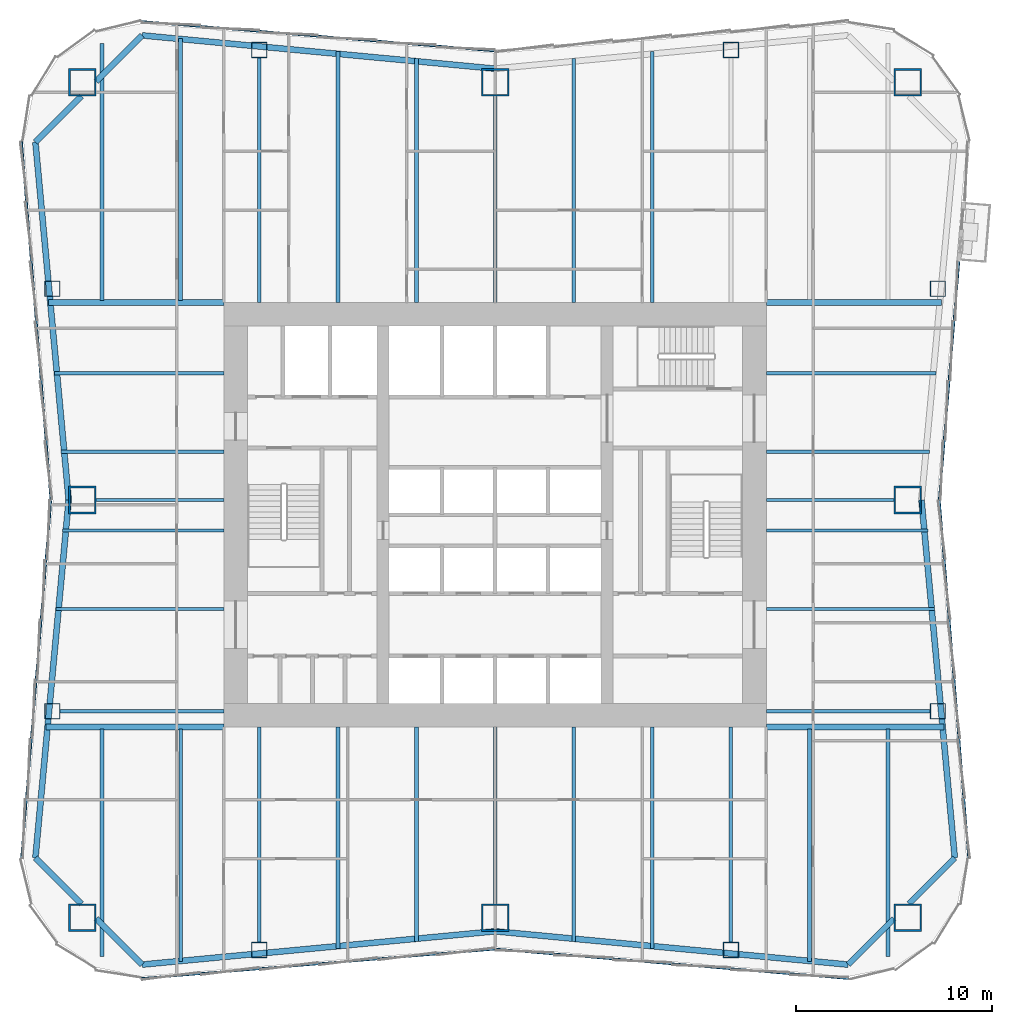
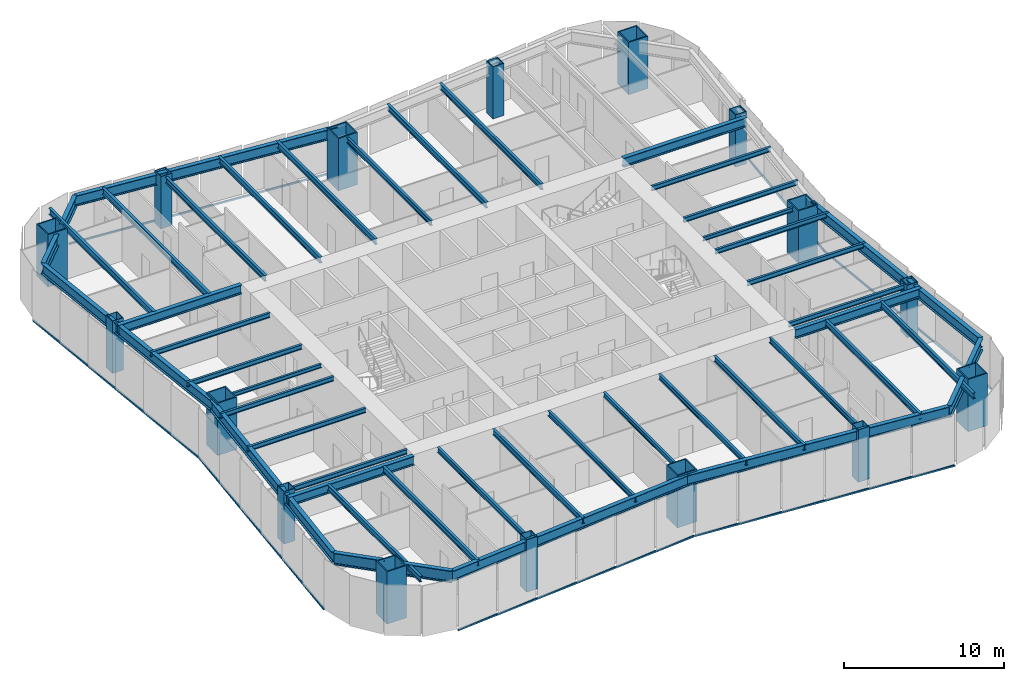
# One storey, part 1 of 9: 47 beams, 16 columns, 7 members, 4 elements without a shape of their own.
"""IFC4 building model written with IfcOpenShell, lengths in metres."""

from ifc_helpers import new_model, si_unit, direction, frame, origin, origin_2d, place, context, subcontext, project, spatial, rectangle, hollow_rectangle, i_section, extrude, material, material_profile, profile_set, type_object, element, aggregate, save


model = new_model("IFC4")

# Units and contexts
model_context = context("Model", 3, precision=1e-05, world=origin(), true_north=direction((0.0, 1.0)))
body_context = subcontext(model_context, "Body", "Model", "MODEL_VIEW")
ifc_project = project(units=[si_unit("LENGTHUNIT", "METRE"), si_unit("AREAUNIT", "SQUARE_METRE"), si_unit("VOLUMEUNIT", "CUBIC_METRE"), si_unit("PLANEANGLEUNIT", "RADIAN"), si_unit("MASSUNIT", "GRAM", prefix="KILO")], contexts=[model_context])

# Site, building, storey
site_placement = place(None, origin())
site = spatial("IfcSite", under=ifc_project, at=site_placement, CompositionType="ELEMENT")
building_placement = place(site_placement, origin())
building = spatial("IfcBuilding", under=site, at=building_placement, Name="Verdant Reach Tower", CompositionType="ELEMENT")
storey_placement = place(building_placement, frame((0.0, 0.0, 74.0)))
storey = spatial("IfcBuildingStorey", under=building, at=storey_placement, Name="L16", CompositionType="ELEMENT", Elevation=74.0)

# Columns
ifc_material_1 = material(Name="Steel S460", Category="steel")
ifc_material_profile_1 = material_profile(ifc_material_1, hollow_rectangle(XDim=1.39990234375, YDim=1.39990234375, WallThickness=0.080078125, at=origin_2d()), Name="WB 1400x1400x80")
ifc_profile_set_1 = profile_set([ifc_material_profile_1], Name="Steel S460")
column_type_1 = type_object("IfcColumnType", Name="ST-COL-WB1400x1400x80", PredefinedType="COLUMN", material=ifc_profile_set_1)
for number, where, z_axis, x_axis, name in (
    (1, (-21.0, 50.0, 0.0), (0.0, 0.0, 1.0), (1.0, 0.0, 0.0), "Mega column north-west, L16"),
    (2, (0.0, 50.0, 0.0), (0.0, 0.0, 1.0), (1.0, 0.0, 0.0), "Mega column north, L16"),
    (3, (21.0, 50.0, 0.0), (0.0, 0.0, 1.0), (1.0, 0.0, 0.0), "Mega column north-east, L16"),
    (4, (21.0, 28.75, 0.0), (0.0, 0.0, 1.0), (1.0, 0.0, 0.0), "Mega column east, L16"),
    (5, (21.0, 7.5, 0.0), (0.0, 0.0, 1.0), (1.0, 0.0, 0.0), "Mega column south-east, L16"),
    (6, (0.0, 7.5, 0.0), (0.0, 0.0, 1.0), (1.0, 0.0, 0.0), "Mega column south, L16"),
    (7, (-21.0, 7.5, 0.0), (0.0, 0.0, 1.0), (1.0, 0.0, 0.0), "Mega column south-west, L16"),
    (8, (-21.0, 28.75, 0.0), (0.0, 0.0, 1.0), (1.0, 0.0, 0.0), "Mega column west, L16"),
):
    element("IfcColumn", number, at=place(storey_placement, frame(where, z_axis=z_axis, x_axis=x_axis)), inside=storey, type_object=column_type_1, Name=name, PredefinedType="COLUMN", context=body_context, shape_type="SweptSolid", body=[
        extrude(hollow_rectangle(XDim=1.39990234375, YDim=1.39990234375, WallThickness=0.080078125, at=origin_2d()), origin(), (0.0, 0.0, 1.0), 4.0),
    ])
ifc_material_profile_2 = material_profile(ifc_material_1, hollow_rectangle(XDim=0.800048828125, YDim=0.800048828125, WallThickness=0.0400390625, at=origin_2d()), Name="WB 800x800x40")
ifc_profile_set_2 = profile_set([ifc_material_profile_2], Name="Steel S460")
column_type_2 = type_object("IfcColumnType", Name="ST-COL-WB800x800x40", PredefinedType="COLUMN", material=ifc_profile_set_2)
for number, where, z_axis, x_axis, name in (
    (9, (-12.0, 51.64990234375, 0.0), (0.0, 0.0, 1.0), (1.0, 0.0, 0.0), "Perimeter column north 1, L16"),
    (10, (12.0, 51.64990234375, 0.0), (0.0, 0.0, 1.0), (1.0, 0.0, 0.0), "Perimeter column north 2, L16"),
    (11, (-12.0, 5.85009765625, 0.0), (0.0, 0.0, 1.0), (1.0, 0.0, 0.0), "Perimeter column south 1, L16"),
    (12, (12.0, 5.85009765625, 0.0), (0.0, 0.0, 1.0), (1.0, 0.0, 0.0), "Perimeter column south 2, L16"),
    (13, (22.53369140625, 18.0, 0.0), (0.0, 0.0, 1.0), (1.0, 0.0, 0.0), "Perimeter column east 1, L16"),
    (14, (22.53369140625, 39.5, 0.0), (0.0, 0.0, 1.0), (1.0, 0.0, 0.0), "Perimeter column east 2, L16"),
    (15, (-22.53369140625, 18.0, 0.0), (0.0, 0.0, 1.0), (1.0, 0.0, 0.0), "Perimeter column west 1, L16"),
    (16, (-22.53369140625, 39.5, 0.0), (0.0, 0.0, 1.0), (1.0, 0.0, 0.0), "Perimeter column west 2, L16"),
):
    element("IfcColumn", number, at=place(storey_placement, frame(where, z_axis=z_axis, x_axis=x_axis)), inside=storey, type_object=column_type_2, Name=name, PredefinedType="COLUMN", context=body_context, shape_type="SweptSolid", body=[
        extrude(hollow_rectangle(XDim=0.800048828125, YDim=0.800048828125, WallThickness=0.0400390625, at=origin_2d()), origin(), (0.0, 0.0, 1.0), 4.0),
    ])

# Curtain wall, members
ifc_material_2 = material(Name="Anodised aluminium", Category="aluminium")
curtain_wall_type = type_object("IfcCurtainWallType", Name="EN-CW SYSTEM Z1", PredefinedType="NOTDEFINED", material=ifc_material_2)
curtain_wall_1_placement = place(storey_placement, origin())
curtain_wall_1 = element("IfcCurtainWall", 17, at=curtain_wall_1_placement, inside=storey, type_object=curtain_wall_type, Name="Curtain wall east, L16", PredefinedType="NOTDEFINED")
ifc_material_profile_3 = material_profile(ifc_material_2, rectangle(XDim=0.10009765625, YDim=0.1220703125, at=origin_2d()), Name="Transom 122x100")
ifc_profile_set_3 = profile_set([ifc_material_profile_3], Name="Anodised aluminium")
member_type = type_object("IfcMemberType", Name="EN-TRANSOM Z1", PredefinedType="USERDEFINED", material=ifc_profile_set_3)
member_1_placement = place(storey_placement, frame((24.100341796875, 10.52490234375, -0.2890625), z_axis=(-0.081886623329, 0.996641651207, 0.0), x_axis=(-0.996641651207, -0.081886623329, 0.0)))
member_1 = element("IfcMember", 18, at=member_1_placement, type_object=member_type, Name="Transom east face part 1 1.1, L16", ObjectType="TRANSOM", PredefinedType="USERDEFINED", context=body_context, shape_type="SweptSolid", body=[
    extrude(rectangle(XDim=0.10009765625, YDim=0.1220703125, at=origin_2d()), origin(), (0.0, 0.0, 1.0), 18.25537109375),
])
member_2_placement = place(storey_placement, frame((22.60546875, 28.781005859375, -0.2890625), z_axis=(0.081948400518, 0.996636573507, 0.0), x_axis=(-0.996636573507, 0.081948400518, 0.0)))
member_2 = element("IfcMember", 19, at=member_2_placement, type_object=member_type, Name="Transom east face part 2 1.1, L16", ObjectType="TRANSOM", PredefinedType="USERDEFINED", context=body_context, shape_type="SweptSolid", body=[
    extrude(rectangle(XDim=0.10009765625, YDim=0.1220703125, at=origin_2d()), origin(), (0.0, 0.0, 1.0), 12.13720703125),
])
aggregate(curtain_wall_1, [member_1, member_2])

# Curtain wall, member
curtain_wall_2_placement = place(storey_placement, origin())
curtain_wall_2 = element("IfcCurtainWall", 20, at=curtain_wall_2_placement, inside=storey, type_object=curtain_wall_type, Name="Curtain wall north, L16", PredefinedType="NOTDEFINED")
member_3_placement = place(storey_placement, frame((-0.031005859375, 51.60546875, -0.2890625), z_axis=(-0.996547815143, 0.083020793384, 0.0), x_axis=(-0.083020793384, -0.996547815143, 0.0)))
member_3 = element("IfcMember", 21, at=member_3_placement, type_object=member_type, Name="Transom north face part 2 1.1, L16", ObjectType="TRANSOM", PredefinedType="USERDEFINED", context=body_context, shape_type="SweptSolid", body=[
    extrude(rectangle(XDim=0.10009765625, YDim=0.1220703125, at=origin_2d()), origin(), (0.0, 0.0, 1.0), 18.006103515625),
])
aggregate(curtain_wall_2, [member_3])

# Curtain wall, members
curtain_wall_3_placement = place(storey_placement, origin())
curtain_wall_3 = element("IfcCurtainWall", 22, at=curtain_wall_3_placement, inside=storey, type_object=curtain_wall_type, Name="Curtain wall west, L16", PredefinedType="NOTDEFINED")
member_4_placement = place(storey_placement, frame((-24.100341796875, 46.97509765625, -0.2890625), z_axis=(0.081886623329, -0.996641651207, 0.0), x_axis=(0.996641651207, 0.081886623329, 0.0)))
member_4 = element("IfcMember", 23, at=member_4_placement, type_object=member_type, Name="Transom west face part 1 1.1, L16", ObjectType="TRANSOM", PredefinedType="USERDEFINED", context=body_context, shape_type="SweptSolid", body=[
    extrude(rectangle(XDim=0.10009765625, YDim=0.1220703125, at=origin_2d()), origin(), (0.0, 0.0, 1.0), 18.25537109375),
])
member_5_placement = place(storey_placement, frame((-22.60546875, 28.718994140625, -0.2890625), z_axis=(-0.081886623329, -0.996641651207, 0.0), x_axis=(0.996641651207, -0.081886623329, 0.0)))
member_5 = element("IfcMember", 24, at=member_5_placement, type_object=member_type, Name="Transom west face part 2 1.1, L16", ObjectType="TRANSOM", PredefinedType="USERDEFINED", context=body_context, shape_type="SweptSolid", body=[
    extrude(rectangle(XDim=0.10009765625, YDim=0.1220703125, at=origin_2d()), origin(), (0.0, 0.0, 1.0), 18.25537109375),
])
aggregate(curtain_wall_3, [member_4, member_5])

curtain_wall_4_placement = place(storey_placement, origin())
curtain_wall_4 = element("IfcCurtainWall", 25, at=curtain_wall_4_placement, inside=storey, type_object=curtain_wall_type, Name="Curtain wall south, L16", PredefinedType="NOTDEFINED")
member_6_placement = place(storey_placement, frame((-17.974853515625, 4.399658203125, -0.2890625), z_axis=(0.996547815143, 0.083020793384, 0.0), x_axis=(-0.083020793384, 0.996547815143, 0.0)))
member_6 = element("IfcMember", 26, at=member_6_placement, type_object=member_type, Name="Transom south face part 1 1.1, L16", ObjectType="TRANSOM", PredefinedType="USERDEFINED", context=body_context, shape_type="SweptSolid", body=[
    extrude(rectangle(XDim=0.10009765625, YDim=0.1220703125, at=origin_2d()), origin(), (0.0, 0.0, 1.0), 18.006103515625),
])
member_7_placement = place(storey_placement, frame((0.031005859375, 5.89453125, -0.2890625), z_axis=(0.996547815143, -0.083020793384, 0.0), x_axis=(0.083020793384, 0.996547815143, 0.0)))
member_7 = element("IfcMember", 27, at=member_7_placement, type_object=member_type, Name="Transom south face part 2 1.1, L16", ObjectType="TRANSOM", PredefinedType="USERDEFINED", context=body_context, shape_type="SweptSolid", body=[
    extrude(rectangle(XDim=0.10009765625, YDim=0.1220703125, at=origin_2d()), origin(), (0.0, 0.0, 1.0), 18.006103515625),
])
aggregate(curtain_wall_4, [member_6, member_7])

# Beams
ifc_material_3 = material(Name="Steel S355", Category="steel")
ifc_material_profile_4 = material_profile(ifc_material_3, i_section(OverallWidth=0.300048828125, OverallDepth=0.699951171875, WebThickness=0.01708984375, FlangeThickness=0.031982421875, FilletRadius=0.027099609375, at=origin_2d()), Name="HEB 700")
ifc_profile_set_4 = profile_set([ifc_material_profile_4], Name="Steel S355")
beam_type_1 = type_object("IfcBeamType", Name="ST-BEAM-HEB700", PredefinedType="BEAM", material=ifc_profile_set_4)
for number, where, z_axis, x_axis, name in (
    (28, (13.800048828125, 38.800048828125, 3.52001953125), (1.0, 0.0, 0.0), (0.0, 1.0, 0.0), "Trimmer beam, L16"),
    (29, (-13.800048828125, 38.800048828125, 3.52001953125), (-1.0, 0.0, 0.0), (0.0, -1.0, 0.0), "Trimmer beam, L16"),
):
    element("IfcBeam", number, at=place(storey_placement, frame(where, z_axis=z_axis, x_axis=x_axis)), inside=storey, type_object=beam_type_1, Name=name, PredefinedType="BEAM", context=body_context, shape_type="SweptSolid", body=[
        extrude(i_section(OverallWidth=0.300048828125, OverallDepth=0.699951171875, WebThickness=0.01708984375, FlangeThickness=0.031982421875, FilletRadius=0.027099609375, at=origin_2d()), origin(), (0.0, 0.0, 1.0), 8.924072265625),
    ])
for number, where, z_axis, x_axis, name in (
    (30, (13.800048828125, 17.199951171875, 3.52001953125), (1.0, 0.0, 0.0), (0.0, 1.0, 0.0), "Trimmer beam, L16"),
    (31, (-13.800048828125, 17.199951171875, 3.52001953125), (-1.0, 0.0, 0.0), (0.0, -1.0, 0.0), "Trimmer beam, L16"),
):
    element("IfcBeam", number, at=place(storey_placement, frame(where, z_axis=z_axis, x_axis=x_axis)), inside=storey, type_object=beam_type_1, Name=name, PredefinedType="BEAM", context=body_context, shape_type="SweptSolid", body=[
        extrude(i_section(OverallWidth=0.300048828125, OverallDepth=0.699951171875, WebThickness=0.01708984375, FlangeThickness=0.031982421875, FilletRadius=0.027099609375, at=origin_2d()), origin(), (0.0, 0.0, 1.0), 9.04736328125),
    ])
ifc_material_profile_5 = material_profile(ifc_material_3, i_section(OverallWidth=0.14990234375, OverallDepth=0.300048828125, WebThickness=0.007080078125, FlangeThickness=0.0107421875, FilletRadius=0.014892578125, at=origin_2d()), Name="IPE 300")
ifc_profile_set_5 = profile_set([ifc_material_profile_5], Name="Steel S355")
beam_type_2 = type_object("IfcBeamType", Name="ST-JOIST-IPE300", PredefinedType="JOIST", material=ifc_profile_set_5)
for number, where, z_axis, x_axis, name in (
    (32, (13.800048828125, 28.75, 3.719970703125), (1.0, 0.0, 0.0), (0.0, 1.0, 0.0), "Floor joist, L16"),
    (33, (-13.800048828125, 28.75, 3.719970703125), (-1.0, 0.0, 0.0), (0.0, -1.0, 0.0), "Floor joist, L16"),
):
    element("IfcBeam", number, at=place(storey_placement, frame(where, z_axis=z_axis, x_axis=x_axis)), inside=storey, type_object=beam_type_2, Name=name, PredefinedType="JOIST", context=body_context, shape_type="SweptSolid", body=[
        extrude(i_section(OverallWidth=0.14990234375, OverallDepth=0.300048828125, WebThickness=0.007080078125, FlangeThickness=0.0107421875, FilletRadius=0.014892578125, at=origin_2d()), origin(), (0.0, 0.0, 1.0), 6.5),
    ])
ifc_material_profile_6 = material_profile(ifc_material_3, i_section(OverallWidth=0.169921875, OverallDepth=0.360107421875, WebThickness=0.008056640625, FlangeThickness=0.0126953125, FilletRadius=0.01806640625, at=origin_2d()), Name="IPE 360")
ifc_profile_set_6 = profile_set([ifc_material_profile_6], Name="Steel S355")
beam_type_3 = type_object("IfcBeamType", Name="ST-JOIST-IPE360", PredefinedType="JOIST", material=ifc_profile_set_6)
beam_1_placement = place(storey_placement, frame((0.0, 17.199951171875, 3.68994140625), z_axis=(0.0, -1.0, 0.0), x_axis=(1.0, 0.0, 0.0)))
element("IfcBeam", 34, at=beam_1_placement, inside=storey, type_object=beam_type_3, Name="Floor joist, L16", PredefinedType="JOIST", context=body_context, shape_type="SweptSolid", body=[
    extrude(i_section(OverallWidth=0.169921875, OverallDepth=0.360107421875, WebThickness=0.008056640625, FlangeThickness=0.0126953125, FilletRadius=0.01806640625, at=origin_2d()), origin(), (0.0, 0.0, 1.0), 9.0),
])
for number, where, z_axis, x_axis, name in (
    (35, (13.800048828125, 18.0, 3.68994140625), (1.0, 0.0, 0.0), (0.0, 1.0, 0.0), "Floor joist, L16"),
    (36, (-13.800048828125, 18.0, 3.68994140625), (-1.0, 0.0, 0.0), (0.0, -1.0, 0.0), "Floor joist, L16"),
):
    element("IfcBeam", number, at=place(storey_placement, frame(where, z_axis=z_axis, x_axis=x_axis)), inside=storey, type_object=beam_type_3, Name=name, PredefinedType="JOIST", context=body_context, shape_type="SweptSolid", body=[
        extrude(i_section(OverallWidth=0.169921875, OverallDepth=0.360107421875, WebThickness=0.008056640625, FlangeThickness=0.0126953125, FilletRadius=0.01806640625, at=origin_2d()), origin(), (0.0, 0.0, 1.0), 8.33349609375),
    ])
for number, where, z_axis, x_axis, name in (
    (37, (13.800048828125, 23.199951171875, 3.68994140625), (1.0, 0.0, 0.0), (0.0, 1.0, 0.0), "Floor joist, L16"),
    (38, (-13.800048828125, 23.199951171875, 3.68994140625), (-1.0, 0.0, 0.0), (0.0, -1.0, 0.0), "Floor joist, L16"),
):
    element("IfcBeam", number, at=place(storey_placement, frame(where, z_axis=z_axis, x_axis=x_axis)), inside=storey, type_object=beam_type_3, Name=name, PredefinedType="JOIST", context=body_context, shape_type="SweptSolid", body=[
        extrude(i_section(OverallWidth=0.169921875, OverallDepth=0.360107421875, WebThickness=0.008056640625, FlangeThickness=0.0126953125, FilletRadius=0.01806640625, at=origin_2d()), origin(), (0.0, 0.0, 1.0), 8.553955078125),
    ])
for number, where, z_axis, x_axis, name in (
    (39, (13.800048828125, 27.199951171875, 3.68994140625), (1.0, 0.0, 0.0), (0.0, 1.0, 0.0), "Floor joist, L16"),
    (40, (-13.800048828125, 27.199951171875, 3.68994140625), (-1.0, 0.0, 0.0), (0.0, -1.0, 0.0), "Floor joist, L16"),
):
    element("IfcBeam", number, at=place(storey_placement, frame(where, z_axis=z_axis, x_axis=x_axis)), inside=storey, type_object=beam_type_3, Name=name, PredefinedType="JOIST", context=body_context, shape_type="SweptSolid", body=[
        extrude(i_section(OverallWidth=0.169921875, OverallDepth=0.360107421875, WebThickness=0.008056640625, FlangeThickness=0.0126953125, FilletRadius=0.01806640625, at=origin_2d()), origin(), (0.0, 0.0, 1.0), 8.225341796875),
    ])
for number, where, z_axis, x_axis, name in (
    (41, (13.800048828125, 31.199951171875, 3.68994140625), (1.0, 0.0, 0.0), (0.0, 1.0, 0.0), "Floor joist, L16"),
    (42, (-13.800048828125, 31.199951171875, 3.68994140625), (-1.0, 0.0, 0.0), (0.0, -1.0, 0.0), "Floor joist, L16"),
):
    element("IfcBeam", number, at=place(storey_placement, frame(where, z_axis=z_axis, x_axis=x_axis)), inside=storey, type_object=beam_type_3, Name=name, PredefinedType="JOIST", context=body_context, shape_type="SweptSolid", body=[
        extrude(i_section(OverallWidth=0.169921875, OverallDepth=0.360107421875, WebThickness=0.008056640625, FlangeThickness=0.0126953125, FilletRadius=0.01806640625, at=origin_2d()), origin(), (0.0, 0.0, 1.0), 8.29931640625),
    ])
for number, where, z_axis, x_axis, name in (
    (43, (13.800048828125, 35.199951171875, 3.68994140625), (1.0, 0.0, 0.0), (0.0, 1.0, 0.0), "Floor joist, L16"),
    (44, (-13.800048828125, 35.199951171875, 3.68994140625), (-1.0, 0.0, 0.0), (0.0, -1.0, 0.0), "Floor joist, L16"),
):
    element("IfcBeam", number, at=place(storey_placement, frame(where, z_axis=z_axis, x_axis=x_axis)), inside=storey, type_object=beam_type_3, Name=name, PredefinedType="JOIST", context=body_context, shape_type="SweptSolid", body=[
        extrude(i_section(OverallWidth=0.169921875, OverallDepth=0.360107421875, WebThickness=0.008056640625, FlangeThickness=0.0126953125, FilletRadius=0.01806640625, at=origin_2d()), origin(), (0.0, 0.0, 1.0), 8.6279296875),
    ])
ifc_material_profile_7 = material_profile(ifc_material_3, i_section(OverallWidth=0.179931640625, OverallDepth=0.39990234375, WebThickness=0.008544921875, FlangeThickness=0.013427734375, FilletRadius=0.02099609375, at=origin_2d()), Name="IPE 400")
ifc_profile_set_7 = profile_set([ifc_material_profile_7], Name="Steel S355")
beam_type_4 = type_object("IfcBeamType", Name="ST-JOIST-IPE400", PredefinedType="JOIST", material=ifc_profile_set_7)
beam_2_placement = place(storey_placement, frame((-12.0, 17.199951171875, 3.669921875), z_axis=(0.0, -1.0, 0.0), x_axis=(1.0, 0.0, 0.0)))
element("IfcBeam", 45, at=beam_2_placement, inside=storey, type_object=beam_type_4, Name="Floor joist, L16", PredefinedType="JOIST", context=body_context, shape_type="SweptSolid", body=[
    extrude(i_section(OverallWidth=0.179931640625, OverallDepth=0.39990234375, WebThickness=0.008544921875, FlangeThickness=0.013427734375, FilletRadius=0.02099609375, at=origin_2d()), origin(), (0.0, 0.0, 1.0), 10.949951171875),
])
beam_3_placement = place(storey_placement, frame((-4.0, 17.199951171875, 3.669921875), z_axis=(0.0, -1.0, 0.0), x_axis=(1.0, 0.0, 0.0)))
element("IfcBeam", 46, at=beam_3_placement, inside=storey, type_object=beam_type_4, Name="Floor joist, L16", PredefinedType="JOIST", context=body_context, shape_type="SweptSolid", body=[
    extrude(i_section(OverallWidth=0.179931640625, OverallDepth=0.39990234375, WebThickness=0.008544921875, FlangeThickness=0.013427734375, FilletRadius=0.02099609375, at=origin_2d()), origin(), (0.0, 0.0, 1.0), 10.93115234375),
])
beam_4_placement = place(storey_placement, frame((0.0, 38.800048828125, 3.669921875), z_axis=(0.0, 1.0, 0.0), x_axis=(-1.0, 0.0, 0.0)))
element("IfcBeam", 47, at=beam_4_placement, inside=storey, type_object=beam_type_4, Name="Floor joist, L16", PredefinedType="JOIST", context=body_context, shape_type="SweptSolid", body=[
    extrude(i_section(OverallWidth=0.179931640625, OverallDepth=0.39990234375, WebThickness=0.008544921875, FlangeThickness=0.013427734375, FilletRadius=0.02099609375, at=origin_2d()), origin(), (0.0, 0.0, 1.0), 10.5),
])
beam_5_placement = place(storey_placement, frame((4.0, 17.199951171875, 3.669921875), z_axis=(0.0, -1.0, 0.0), x_axis=(1.0, 0.0, 0.0)))
element("IfcBeam", 48, at=beam_5_placement, inside=storey, type_object=beam_type_4, Name="Floor joist, L16", PredefinedType="JOIST", context=body_context, shape_type="SweptSolid", body=[
    extrude(i_section(OverallWidth=0.179931640625, OverallDepth=0.39990234375, WebThickness=0.008544921875, FlangeThickness=0.013427734375, FilletRadius=0.02099609375, at=origin_2d()), origin(), (0.0, 0.0, 1.0), 10.93115234375),
])
beam_6_placement = place(storey_placement, frame((12.0, 17.199951171875, 3.669921875), z_axis=(0.0, -1.0, 0.0), x_axis=(1.0, 0.0, 0.0)))
element("IfcBeam", 49, at=beam_6_placement, inside=storey, type_object=beam_type_4, Name="Floor joist, L16", PredefinedType="JOIST", context=body_context, shape_type="SweptSolid", body=[
    extrude(i_section(OverallWidth=0.179931640625, OverallDepth=0.39990234375, WebThickness=0.008544921875, FlangeThickness=0.013427734375, FilletRadius=0.02099609375, at=origin_2d()), origin(), (0.0, 0.0, 1.0), 10.949951171875),
])
ifc_material_profile_8 = material_profile(ifc_material_3, i_section(OverallWidth=0.18994140625, OverallDepth=0.449951171875, WebThickness=0.009521484375, FlangeThickness=0.0146484375, FilletRadius=0.02099609375, at=origin_2d()), Name="IPE 450")
ifc_profile_set_8 = profile_set([ifc_material_profile_8], Name="Steel S355")
beam_type_5 = type_object("IfcBeamType", Name="ST-JOIST-IPE450", PredefinedType="JOIST", material=ifc_profile_set_8)
beam_7_placement = place(storey_placement, frame((-20.0, 17.10009765625, 3.64501953125), z_axis=(0.0, -1.0, 0.0), x_axis=(1.0, 0.0, 0.0)))
element("IfcBeam", 50, at=beam_7_placement, inside=storey, type_object=beam_type_5, Name="Floor joist, L16", PredefinedType="JOIST", context=body_context, shape_type="SweptSolid", body=[
    extrude(i_section(OverallWidth=0.18994140625, OverallDepth=0.449951171875, WebThickness=0.009521484375, FlangeThickness=0.0146484375, FilletRadius=0.02099609375, at=origin_2d()), origin(), (0.0, 0.0, 1.0), 11.590576171875),
])
beam_8_placement = place(storey_placement, frame((-16.0, 17.10009765625, 3.64501953125), z_axis=(0.0, -1.0, 0.0), x_axis=(1.0, 0.0, 0.0)))
element("IfcBeam", 51, at=beam_8_placement, inside=storey, type_object=beam_type_5, Name="Floor joist, L16", PredefinedType="JOIST", context=body_context, shape_type="SweptSolid", body=[
    extrude(i_section(OverallWidth=0.18994140625, OverallDepth=0.449951171875, WebThickness=0.009521484375, FlangeThickness=0.0146484375, FilletRadius=0.02099609375, at=origin_2d()), origin(), (0.0, 0.0, 1.0), 11.831298828125),
])
beam_9_placement = place(storey_placement, frame((-12.0, 38.800048828125, 3.64501953125), z_axis=(0.0, 1.0, 0.0), x_axis=(-1.0, 0.0, 0.0)))
element("IfcBeam", 52, at=beam_9_placement, inside=storey, type_object=beam_type_5, Name="Floor joist, L16", PredefinedType="JOIST", context=body_context, shape_type="SweptSolid", body=[
    extrude(i_section(OverallWidth=0.18994140625, OverallDepth=0.449951171875, WebThickness=0.009521484375, FlangeThickness=0.0146484375, FilletRadius=0.02099609375, at=origin_2d()), origin(), (0.0, 0.0, 1.0), 12.449951171875),
])
beam_10_placement = place(storey_placement, frame((-8.0, 38.800048828125, 3.64501953125), z_axis=(0.0, 1.0, 0.0), x_axis=(-1.0, 0.0, 0.0)))
element("IfcBeam", 53, at=beam_10_placement, inside=storey, type_object=beam_type_5, Name="Floor joist, L16", PredefinedType="JOIST", context=body_context, shape_type="SweptSolid", body=[
    extrude(i_section(OverallWidth=0.18994140625, OverallDepth=0.449951171875, WebThickness=0.009521484375, FlangeThickness=0.0146484375, FilletRadius=0.02099609375, at=origin_2d()), origin(), (0.0, 0.0, 1.0), 12.7646484375),
])
beam_11_placement = place(storey_placement, frame((-8.0, 17.199951171875, 3.64501953125), z_axis=(0.0, -1.0, 0.0), x_axis=(1.0, 0.0, 0.0)))
element("IfcBeam", 54, at=beam_11_placement, inside=storey, type_object=beam_type_5, Name="Floor joist, L16", PredefinedType="JOIST", context=body_context, shape_type="SweptSolid", body=[
    extrude(i_section(OverallWidth=0.18994140625, OverallDepth=0.449951171875, WebThickness=0.009521484375, FlangeThickness=0.0146484375, FilletRadius=0.02099609375, at=origin_2d()), origin(), (0.0, 0.0, 1.0), 11.2646484375),
])
for number, where, z_axis, x_axis, name in (
    (55, (-4.0, 38.800048828125, 3.64501953125), (0.0, 1.0, 0.0), (-1.0, 0.0, 0.0), "Floor joist, L16"),
    (56, (4.0, 38.800048828125, 3.64501953125), (0.0, 1.0, 0.0), (-1.0, 0.0, 0.0), "Floor joist, L16"),
):
    element("IfcBeam", number, at=place(storey_placement, frame(where, z_axis=z_axis, x_axis=x_axis)), inside=storey, type_object=beam_type_5, Name=name, PredefinedType="JOIST", context=body_context, shape_type="SweptSolid", body=[
        extrude(i_section(OverallWidth=0.18994140625, OverallDepth=0.449951171875, WebThickness=0.009521484375, FlangeThickness=0.0146484375, FilletRadius=0.02099609375, at=origin_2d()), origin(), (0.0, 0.0, 1.0), 12.43115234375),
    ])
beam_12_placement = place(storey_placement, frame((8.0, 38.800048828125, 3.64501953125), z_axis=(0.0, 1.0, 0.0), x_axis=(-1.0, 0.0, 0.0)))
element("IfcBeam", 57, at=beam_12_placement, inside=storey, type_object=beam_type_5, Name="Floor joist, L16", PredefinedType="JOIST", context=body_context, shape_type="SweptSolid", body=[
    extrude(i_section(OverallWidth=0.18994140625, OverallDepth=0.449951171875, WebThickness=0.009521484375, FlangeThickness=0.0146484375, FilletRadius=0.02099609375, at=origin_2d()), origin(), (0.0, 0.0, 1.0), 12.7646484375),
])
beam_13_placement = place(storey_placement, frame((8.0, 17.199951171875, 3.64501953125), z_axis=(0.0, -1.0, 0.0), x_axis=(1.0, 0.0, 0.0)))
element("IfcBeam", 58, at=beam_13_placement, inside=storey, type_object=beam_type_5, Name="Floor joist, L16", PredefinedType="JOIST", context=body_context, shape_type="SweptSolid", body=[
    extrude(i_section(OverallWidth=0.18994140625, OverallDepth=0.449951171875, WebThickness=0.009521484375, FlangeThickness=0.0146484375, FilletRadius=0.02099609375, at=origin_2d()), origin(), (0.0, 0.0, 1.0), 11.2646484375),
])
beam_14_placement = place(storey_placement, frame((16.0, 17.10009765625, 3.64501953125), z_axis=(0.0, -1.0, 0.0), x_axis=(1.0, 0.0, 0.0)))
element("IfcBeam", 59, at=beam_14_placement, inside=storey, type_object=beam_type_5, Name="Floor joist, L16", PredefinedType="JOIST", context=body_context, shape_type="SweptSolid", body=[
    extrude(i_section(OverallWidth=0.18994140625, OverallDepth=0.449951171875, WebThickness=0.009521484375, FlangeThickness=0.0146484375, FilletRadius=0.02099609375, at=origin_2d()), origin(), (0.0, 0.0, 1.0), 11.831298828125),
])
beam_15_placement = place(storey_placement, frame((20.0, 17.10009765625, 3.64501953125), z_axis=(0.0, -1.0, 0.0), x_axis=(1.0, 0.0, 0.0)))
element("IfcBeam", 60, at=beam_15_placement, inside=storey, type_object=beam_type_5, Name="Floor joist, L16", PredefinedType="JOIST", context=body_context, shape_type="SweptSolid", body=[
    extrude(i_section(OverallWidth=0.18994140625, OverallDepth=0.449951171875, WebThickness=0.009521484375, FlangeThickness=0.0146484375, FilletRadius=0.02099609375, at=origin_2d()), origin(), (0.0, 0.0, 1.0), 11.590576171875),
])
ifc_material_profile_9 = material_profile(ifc_material_3, i_section(OverallWidth=0.199951171875, OverallDepth=0.5, WebThickness=0.01025390625, FlangeThickness=0.01611328125, FilletRadius=0.02099609375, at=origin_2d()), Name="IPE 500")
ifc_profile_set_9 = profile_set([ifc_material_profile_9], Name="Steel S355")
beam_type_6 = type_object("IfcBeamType", Name="ST-JOIST-IPE500", PredefinedType="JOIST", material=ifc_profile_set_9)
beam_16_placement = place(storey_placement, frame((-20.0, 38.89990234375, 3.6201171875), z_axis=(0.0, 1.0, 0.0), x_axis=(-1.0, 0.0, 0.0)))
element("IfcBeam", 61, at=beam_16_placement, inside=storey, type_object=beam_type_6, Name="Floor joist, L16", PredefinedType="JOIST", context=body_context, shape_type="SweptSolid", body=[
    extrude(i_section(OverallWidth=0.199951171875, OverallDepth=0.5, WebThickness=0.01025390625, FlangeThickness=0.01611328125, FilletRadius=0.02099609375, at=origin_2d()), origin(), (0.0, 0.0, 1.0), 13.090576171875),
])
beam_17_placement = place(storey_placement, frame((-16.0, 38.89990234375, 3.6201171875), z_axis=(0.0, 1.0, 0.0), x_axis=(-1.0, 0.0, 0.0)))
element("IfcBeam", 62, at=beam_17_placement, inside=storey, type_object=beam_type_6, Name="Floor joist, L16", PredefinedType="JOIST", context=body_context, shape_type="SweptSolid", body=[
    extrude(i_section(OverallWidth=0.199951171875, OverallDepth=0.5, WebThickness=0.01025390625, FlangeThickness=0.01611328125, FilletRadius=0.02099609375, at=origin_2d()), origin(), (0.0, 0.0, 1.0), 13.331298828125),
])
ifc_material_profile_10 = material_profile(ifc_material_3, i_section(OverallWidth=0.300048828125, OverallDepth=0.800048828125, WebThickness=0.017578125, FlangeThickness=0.032958984375, FilletRadius=0.030029296875, at=origin_2d()), Name="HEB 800")
ifc_profile_set_10 = profile_set([ifc_material_profile_10], Name="Steel S355")
beam_type_7 = type_object("IfcBeamType", Name="ST-SPANDREL-HEB800", PredefinedType="SPANDREL", material=ifc_profile_set_10)
for number, where, z_axis, x_axis, name in (
    (63, (17.9658203125, 5.10498046875, 3.469970703125), (-0.995578571765, 0.093932462137, 0.0), (-0.093932462137, -0.995578571765, 0.0), "Edge beam, L16"),
    (64, (0.0, 6.800048828125, 3.469970703125), (-0.995578571765, -0.093932462137, 0.0), (0.093932462137, -0.995578571765, 0.0), "Edge beam, L16"),
):
    element("IfcBeam", number, at=place(storey_placement, frame(where, z_axis=z_axis, x_axis=x_axis)), inside=storey, type_object=beam_type_7, Name=name, PredefinedType="SPANDREL", context=body_context, shape_type="SweptSolid", body=[
        extrude(i_section(OverallWidth=0.300048828125, OverallDepth=0.800048828125, WebThickness=0.017578125, FlangeThickness=0.032958984375, FilletRadius=0.030029296875, at=origin_2d()), origin(), (0.0, 0.0, 1.0), 18.045654296875),
    ])
for number, where, z_axis, x_axis, name in (
    (65, (-23.39501953125, 10.53466796875, 3.469970703125), (0.092656907618, 0.995698095544, 0.0), (-0.995698095544, 0.092656907618, 0.0), "Edge beam, L16"),
    (66, (-21.699951171875, 28.75, 3.469970703125), (-0.092656907618, 0.995698095544, 0.0), (-0.995698095544, -0.092656907618, 0.0), "Edge beam, L16"),
):
    element("IfcBeam", number, at=place(storey_placement, frame(where, z_axis=z_axis, x_axis=x_axis)), inside=storey, type_object=beam_type_7, Name=name, PredefinedType="SPANDREL", context=body_context, shape_type="SweptSolid", body=[
        extrude(i_section(OverallWidth=0.300048828125, OverallDepth=0.800048828125, WebThickness=0.017578125, FlangeThickness=0.032958984375, FilletRadius=0.030029296875, at=origin_2d()), origin(), (0.0, 0.0, 1.0), 18.2939453125),
    ])
beam_18_placement = place(storey_placement, frame((-17.9658203125, 52.39501953125, 3.469970703125), z_axis=(0.995578571765, -0.093932462137, 0.0), x_axis=(0.093932462137, 0.995578571765, 0.0)))
element("IfcBeam", 67, at=beam_18_placement, inside=storey, type_object=beam_type_7, Name="Edge beam, L16", PredefinedType="SPANDREL", context=body_context, shape_type="SweptSolid", body=[
    extrude(i_section(OverallWidth=0.300048828125, OverallDepth=0.800048828125, WebThickness=0.017578125, FlangeThickness=0.032958984375, FilletRadius=0.030029296875, at=origin_2d()), origin(), (0.0, 0.0, 1.0), 18.045654296875),
])
beam_19_placement = place(storey_placement, frame((21.699951171875, 28.75, 3.469970703125), z_axis=(0.092656907618, -0.995698095544, 0.0), x_axis=(0.995698095544, 0.092656907618, 0.0)))
element("IfcBeam", 68, at=beam_19_placement, inside=storey, type_object=beam_type_7, Name="Edge beam, L16", PredefinedType="SPANDREL", context=body_context, shape_type="SweptSolid", body=[
    extrude(i_section(OverallWidth=0.300048828125, OverallDepth=0.800048828125, WebThickness=0.017578125, FlangeThickness=0.032958984375, FilletRadius=0.030029296875, at=origin_2d()), origin(), (0.0, 0.0, 1.0), 18.2939453125),
])
ifc_material_profile_11 = material_profile(ifc_material_3, i_section(OverallWidth=0.302001953125, OverallDepth=0.909912109375, WebThickness=0.02099609375, FlangeThickness=0.0400390625, FilletRadius=0.030029296875, at=origin_2d()), Name="HEM 900")
ifc_profile_set_11 = profile_set([ifc_material_profile_11], Name="Steel S355")
beam_type_8 = type_object("IfcBeamType", Name="ST-SPANDREL-HEM900", PredefinedType="SPANDREL", material=ifc_profile_set_11)
beam_20_placement = place(storey_placement, frame((-17.9658203125, 5.10498046875, 3.4150390625), z_axis=(-0.707106781187, 0.707106781187, 0.0), x_axis=(-0.707106781187, -0.707106781187, 0.0)))
element("IfcBeam", 69, at=beam_20_placement, inside=storey, type_object=beam_type_8, Name="Edge beam, L16", PredefinedType="SPANDREL", context=body_context, shape_type="SweptSolid", body=[
    extrude(i_section(OverallWidth=0.302001953125, OverallDepth=0.909912109375, WebThickness=0.02099609375, FlangeThickness=0.0400390625, FilletRadius=0.030029296875, at=origin_2d()), origin(), (0.0, 0.0, 1.0), 3.301025390625),
])
for number, where, z_axis, x_axis, name in (
    (70, (-21.060546875, 8.199951171875, 3.4150390625), (-0.707069807316, 0.707143753123, 0.0), (-0.707143753123, -0.707069807316, 0.0), "Edge beam, L16"),
    (71, (-23.39501953125, 46.96533203125, 3.4150390625), (0.707069807316, 0.707143753123, 0.0), (-0.707143753123, 0.707069807316, 0.0), "Edge beam, L16"),
):
    element("IfcBeam", number, at=place(storey_placement, frame(where, z_axis=z_axis, x_axis=x_axis)), inside=storey, type_object=beam_type_8, Name=name, PredefinedType="SPANDREL", context=body_context, shape_type="SweptSolid", body=[
        extrude(i_section(OverallWidth=0.302001953125, OverallDepth=0.909912109375, WebThickness=0.02099609375, FlangeThickness=0.0400390625, FilletRadius=0.030029296875, at=origin_2d()), origin(), (0.0, 0.0, 1.0), 3.301513671875),
    ])
beam_21_placement = place(storey_placement, frame((-20.300048828125, 50.060791015625, 3.4150390625), z_axis=(0.707106781187, 0.707106781187, 0.0), x_axis=(-0.707106781187, 0.707106781187, 0.0)))
element("IfcBeam", 72, at=beam_21_placement, inside=storey, type_object=beam_type_8, Name="Edge beam, L16", PredefinedType="SPANDREL", context=body_context, shape_type="SweptSolid", body=[
    extrude(i_section(OverallWidth=0.302001953125, OverallDepth=0.909912109375, WebThickness=0.02099609375, FlangeThickness=0.0400390625, FilletRadius=0.030029296875, at=origin_2d()), origin(), (0.0, 0.0, 1.0), 3.301025390625),
])
beam_22_placement = place(storey_placement, frame((23.39501953125, 10.53466796875, 3.4150390625), z_axis=(-0.707069807316, -0.707143753123, 0.0), x_axis=(0.707143753123, -0.707069807316, 0.0)))
element("IfcBeam", 73, at=beam_22_placement, inside=storey, type_object=beam_type_8, Name="Edge beam, L16", PredefinedType="SPANDREL", context=body_context, shape_type="SweptSolid", body=[
    extrude(i_section(OverallWidth=0.302001953125, OverallDepth=0.909912109375, WebThickness=0.02099609375, FlangeThickness=0.0400390625, FilletRadius=0.030029296875, at=origin_2d()), origin(), (0.0, 0.0, 1.0), 3.301513671875),
])
beam_23_placement = place(storey_placement, frame((20.300048828125, 7.439208984375, 3.4150390625), z_axis=(-0.707106781187, -0.707106781187, 0.0), x_axis=(0.707106781187, -0.707106781187, 0.0)))
element("IfcBeam", 74, at=beam_23_placement, inside=storey, type_object=beam_type_8, Name="Edge beam, L16", PredefinedType="SPANDREL", context=body_context, shape_type="SweptSolid", body=[
    extrude(i_section(OverallWidth=0.302001953125, OverallDepth=0.909912109375, WebThickness=0.02099609375, FlangeThickness=0.0400390625, FilletRadius=0.030029296875, at=origin_2d()), origin(), (0.0, 0.0, 1.0), 3.301025390625),
])

save(model, "model.ifc")
